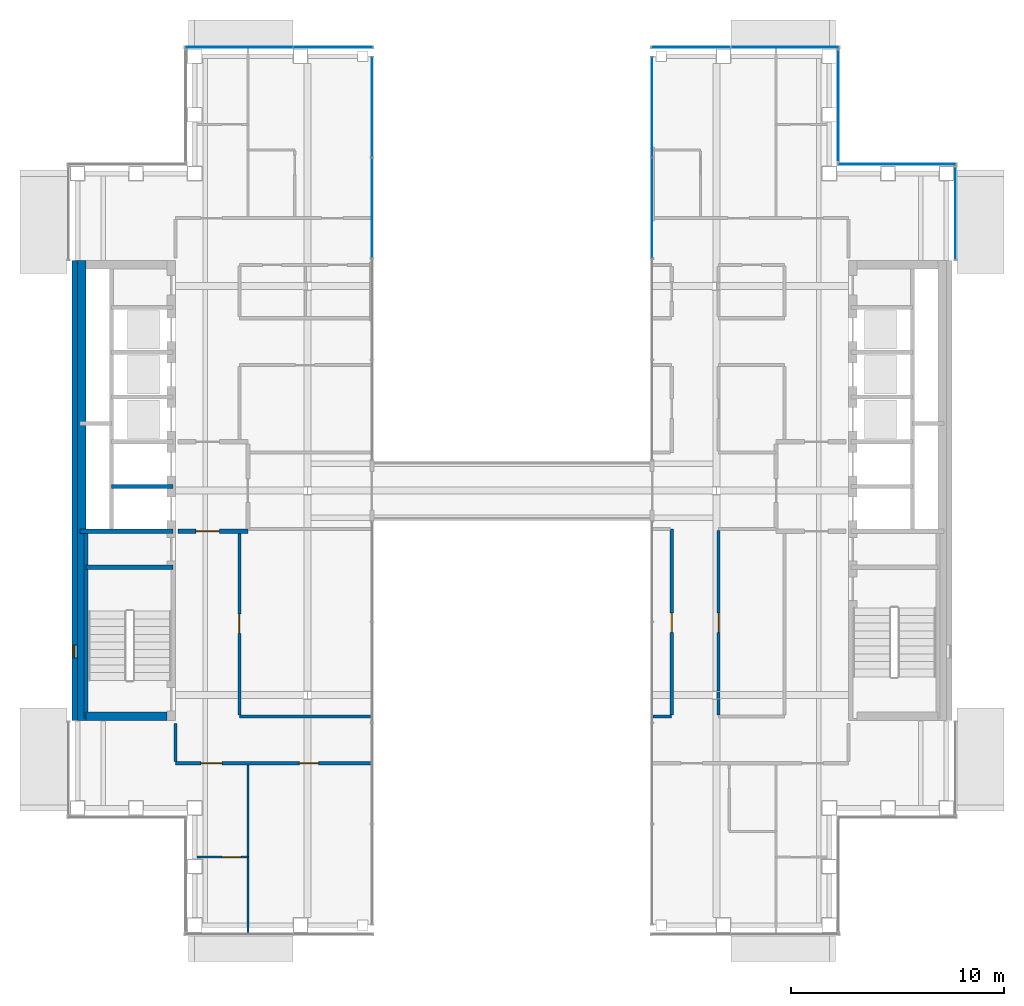
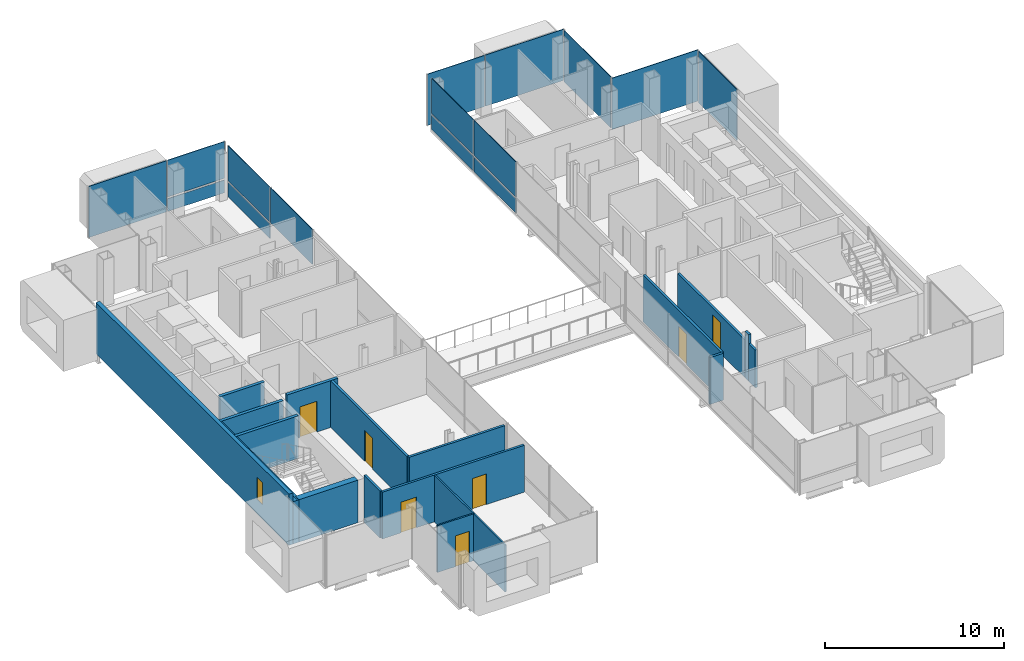
# One storey, part 10 of 17: 19 walls, 15 plates, 7 doors, 1 window, 8 openings, 7 elements without a shape of their own.
"""IFC4 building model written with IfcOpenShell, lengths in metres."""

from ifc_helpers import new_model, si_unit, direction, frame, frame_2d, origin, origin_2d, place, context, subcontext, project, spatial, rectangle, extrude, material, layer, layer_set, type_object, element, fill, aggregate, save


model = new_model("IFC4")

# Units and contexts
model_context = context("Model", 3, precision=1e-05, world=origin(), true_north=direction((0.0, 1.0)))
body_context = subcontext(model_context, "Body", "Model", "MODEL_VIEW")
ifc_project = project(units=[si_unit("LENGTHUNIT", "METRE"), si_unit("AREAUNIT", "SQUARE_METRE"), si_unit("VOLUMEUNIT", "CUBIC_METRE"), si_unit("PLANEANGLEUNIT", "RADIAN"), si_unit("MASSUNIT", "GRAM", prefix="KILO")], contexts=[model_context])

# Site, building, storey
site_placement = place(None, origin())
site = spatial("IfcSite", under=ifc_project, at=site_placement, CompositionType="ELEMENT")
building_placement = place(site_placement, origin())
building = spatial("IfcBuilding", under=site, at=building_placement, Name="Cobrizo Arcos Hotel Tower", CompositionType="ELEMENT")
storey_placement = place(building_placement, frame((0.0, 0.0, 233.0)))
storey = spatial("IfcBuildingStorey", under=building, at=storey_placement, Name="L61", CompositionType="ELEMENT", Elevation=233.0)

# Curtain wall, plate
ifc_material_1 = material(Name="Aluminium 6063-T6 anodised bronze", Category="aluminium")
curtain_wall_type_1 = type_object("IfcCurtainWallType", Name="CW-A guest facade", PredefinedType="NOTDEFINED", material=ifc_material_1)
curtain_wall_1_placement = place(storey_placement, origin())
curtain_wall_1 = element("IfcCurtainWall", 1, at=curtain_wall_1_placement, inside=storey, type_object=curtain_wall_type_1, Name="CW-A L61 E face", PredefinedType="NOTDEFINED")
ifc_material_2 = material(Name="Aluminium composite panel pale metal", Category="aluminium")
ifc_layer_1 = layer(ifc_material_2, 0.0400390625)
ifc_layer_set_1 = layer_set([ifc_layer_1], Name="CW-A spandrel panel")
plate_type_1 = type_object("IfcPlateType", Name="CW-A spandrel panel", PredefinedType="CURTAIN_PANEL", material=ifc_layer_set_1)
plate_1_placement = place(storey_placement, frame((20.824951171875, 13.02490234375, 0.0), z_axis=(0.0, 0.0, 1.0), x_axis=(0.0, 1.0, 0.0)))
plate_1 = element("IfcPlate", 2, at=plate_1_placement, type_object=plate_type_1, Name="CW-A spandrel panel 1975", PredefinedType="CURTAIN_PANEL", context=body_context, shape_type="SweptSolid", body=[
    extrude(rectangle(XDim=4.330078125, YDim=0.0400390625, at=origin_2d()), origin(), (0.0, 0.0, 1.0), 3.5),
])
aggregate(curtain_wall_1, [plate_1])

curtain_wall_2_placement = place(storey_placement, origin())
curtain_wall_2 = element("IfcCurtainWall", 3, at=curtain_wall_2_placement, inside=storey, type_object=curtain_wall_type_1, Name="CW-A L61 N face", PredefinedType="NOTDEFINED")
plate_2_placement = place(storey_placement, frame((18.074951171875, 15.324951171875, 0.0), z_axis=(0.0, 0.0, 1.0), x_axis=(-1.0, 0.0, 0.0)))
plate_2 = element("IfcPlate", 4, at=plate_2_placement, type_object=plate_type_1, Name="CW-A spandrel panel 1976", PredefinedType="CURTAIN_PANEL", context=body_context, shape_type="SweptSolid", body=[
    extrude(rectangle(XDim=5.530029296875, YDim=0.0400390625, at=origin_2d()), origin(), (0.0, 0.0, 1.0), 3.5),
])
aggregate(curtain_wall_2, [plate_2])

curtain_wall_3_placement = place(storey_placement, origin())
curtain_wall_3 = element("IfcCurtainWall", 5, at=curtain_wall_3_placement, inside=storey, type_object=curtain_wall_type_1, Name="CW-A L61 E face", PredefinedType="NOTDEFINED")
plate_3_placement = place(storey_placement, frame((15.324951171875, 18.074951171875, 0.0), z_axis=(0.0, 0.0, 1.0), x_axis=(0.0, 1.0, 0.0)))
plate_3 = element("IfcPlate", 6, at=plate_3_placement, type_object=plate_type_1, Name="CW-A spandrel panel 1977", PredefinedType="CURTAIN_PANEL", context=body_context, shape_type="SweptSolid", body=[
    extrude(rectangle(XDim=5.22998046875, YDim=0.0400390625, at=origin_2d()), origin(), (0.0, 0.0, 1.0), 3.5),
])
aggregate(curtain_wall_3, [plate_3])

# Curtain wall, plates
curtain_wall_4_placement = place(storey_placement, origin())
curtain_wall_4 = element("IfcCurtainWall", 7, at=curtain_wall_4_placement, inside=storey, type_object=curtain_wall_type_1, Name="CW-A L61 N face", PredefinedType="NOTDEFINED")
plate_4_placement = place(storey_placement, frame((12.818359375, 20.824951171875, 0.0), z_axis=(0.0, 0.0, 1.0), x_axis=(-1.0, 0.0, 0.0)))
plate_4 = element("IfcPlate", 8, at=plate_4_placement, type_object=plate_type_1, Name="CW-A spandrel panel 1978", PredefinedType="CURTAIN_PANEL", context=body_context, shape_type="SweptSolid", body=[
    extrude(rectangle(XDim=5.043212890625, YDim=0.0400390625, at=origin_2d()), origin(), (0.0, 0.0, 1.0), 3.5),
])
plate_5_placement = place(storey_placement, frame((8.3984375, 20.824951171875, 0.0), z_axis=(0.0, 0.0, 1.0), x_axis=(-1.0, 0.0, 0.0)))
plate_5 = element("IfcPlate", 9, at=plate_5_placement, type_object=plate_type_1, Name="CW-A spandrel panel 1979", PredefinedType="CURTAIN_PANEL", context=body_context, shape_type="SweptSolid", body=[
    extrude(rectangle(XDim=3.6767578125, YDim=0.0400390625, at=origin_2d()), origin(), (0.0, 0.0, 1.0), 3.5),
])
aggregate(curtain_wall_4, [plate_4, plate_5])

curtain_wall_5_placement = place(storey_placement, origin())
curtain_wall_5 = element("IfcCurtainWall", 10, at=curtain_wall_5_placement, inside=storey, type_object=curtain_wall_type_1, Name="CW-A L61 N face", PredefinedType="NOTDEFINED")
plate_6_placement = place(storey_placement, frame((-8.3984375, 20.824951171875, 0.0), z_axis=(0.0, 0.0, 1.0), x_axis=(-1.0, 0.0, 0.0)))
plate_6 = element("IfcPlate", 11, at=plate_6_placement, type_object=plate_type_1, Name="CW-A spandrel panel 1980", PredefinedType="CURTAIN_PANEL", context=body_context, shape_type="SweptSolid", body=[
    extrude(rectangle(XDim=3.6767578125, YDim=0.0400390625, at=origin_2d()), origin(), (0.0, 0.0, 1.0), 0.8701171875),
])
plate_7_placement = place(storey_placement, frame((-8.3984375, 20.824951171875, 0.990234375), z_axis=(0.0, 0.0, 1.0), x_axis=(-1.0, 0.0, 0.0)))
plate_7 = element("IfcPlate", 12, at=plate_7_placement, type_object=plate_type_1, Name="CW-A spandrel panel 1980", PredefinedType="CURTAIN_PANEL", context=body_context, shape_type="SweptSolid", body=[
    extrude(rectangle(XDim=3.6767578125, YDim=0.0400390625, at=origin_2d()), origin(), (0.0, 0.0, 1.0), 2.510009765625),
])
plate_8_placement = place(storey_placement, frame((-12.818359375, 20.824951171875, 0.0), z_axis=(0.0, 0.0, 1.0), x_axis=(-1.0, 0.0, 0.0)))
plate_8 = element("IfcPlate", 13, at=plate_8_placement, type_object=plate_type_1, Name="CW-A spandrel panel 1981", PredefinedType="CURTAIN_PANEL", context=body_context, shape_type="SweptSolid", body=[
    extrude(rectangle(XDim=5.043212890625, YDim=0.0400390625, at=origin_2d()), origin(), (0.0, 0.0, 1.0), 3.5),
])
aggregate(curtain_wall_5, [plate_6, plate_7, plate_8])

curtain_wall_type_2 = type_object("IfcCurtainWallType", Name="CW-F void screen", PredefinedType="NOTDEFINED", material=ifc_material_1)
curtain_wall_6_placement = place(storey_placement, origin())
curtain_wall_6 = element("IfcCurtainWall", 14, at=curtain_wall_6_placement, inside=storey, type_object=curtain_wall_type_2, Name="CW-F L61 void screen C", PredefinedType="NOTDEFINED")
ifc_material_3 = material(Name="Glass clear laminated low-e", Category="glass")
ifc_layer_2 = layer(ifc_material_3, 0.0400390625)
ifc_layer_set_2 = layer_set([ifc_layer_2], Name="CW-F glass panel")
plate_type_2 = type_object("IfcPlateType", Name="CW-F glass panel", PredefinedType="CURTAIN_PANEL", material=ifc_layer_set_2)
plate_9_placement = place(storey_placement, frame((6.574951171875, 13.27490234375, 0.0), z_axis=(0.0, 0.0, 1.0), x_axis=(0.0, 1.0, 0.0)))
plate_9 = element("IfcPlate", 15, at=plate_9_placement, type_object=plate_type_2, Name="CW-F glass panel 2754", PredefinedType="CURTAIN_PANEL", context=body_context, shape_type="SweptSolid", body=[
    extrude(rectangle(XDim=4.68994140625, YDim=0.0400390625, at=origin_2d()), origin(), (0.0, 0.0, 1.0), 0.989990234375),
])
plate_10_placement = place(storey_placement, frame((6.574951171875, 13.27490234375, 1.10986328125), z_axis=(0.0, 0.0, 1.0), x_axis=(0.0, 1.0, 0.0)))
plate_10 = element("IfcPlate", 16, at=plate_10_placement, type_object=plate_type_2, Name="CW-F glass panel 2754", PredefinedType="CURTAIN_PANEL", context=body_context, shape_type="SweptSolid", body=[
    extrude(rectangle(XDim=4.68994140625, YDim=0.0400390625, at=origin_2d()), origin(), (0.0, 0.0, 1.0), 2.389892578125),
])
plate_11_placement = place(storey_placement, frame((6.574951171875, 18.010009765625, 0.0), z_axis=(0.0, 0.0, 1.0), x_axis=(0.0, 1.0, 0.0)))
plate_11 = element("IfcPlate", 17, at=plate_11_placement, type_object=plate_type_2, Name="CW-F glass panel 2755", PredefinedType="CURTAIN_PANEL", context=body_context, shape_type="SweptSolid", body=[
    extrude(rectangle(XDim=4.659912109375, YDim=0.0400390625, at=origin_2d()), origin(), (0.0, 0.0, 1.0), 0.989990234375),
])
plate_12_placement = place(storey_placement, frame((6.574951171875, 18.010009765625, 1.10986328125), z_axis=(0.0, 0.0, 1.0), x_axis=(0.0, 1.0, 0.0)))
plate_12 = element("IfcPlate", 18, at=plate_12_placement, type_object=plate_type_2, Name="CW-F glass panel 2755", PredefinedType="CURTAIN_PANEL", context=body_context, shape_type="SweptSolid", body=[
    extrude(rectangle(XDim=4.659912109375, YDim=0.0400390625, at=origin_2d()), origin(), (0.0, 0.0, 1.0), 2.389892578125),
])
aggregate(curtain_wall_6, [plate_9, plate_10, plate_11, plate_12])

curtain_wall_7_placement = place(storey_placement, origin())
curtain_wall_7 = element("IfcCurtainWall", 19, at=curtain_wall_7_placement, inside=storey, type_object=curtain_wall_type_2, Name="CW-F L61 void screen C", PredefinedType="NOTDEFINED")
plate_13_placement = place(storey_placement, frame((-6.574951171875, 18.010009765625, 0.0), z_axis=(0.0, 0.0, 1.0), x_axis=(0.0, -1.0, 0.0)))
plate_13 = element("IfcPlate", 20, at=plate_13_placement, type_object=plate_type_2, Name="CW-F glass panel 2756", PredefinedType="CURTAIN_PANEL", context=body_context, shape_type="SweptSolid", body=[
    extrude(rectangle(XDim=4.659912109375, YDim=0.0400390625, at=origin_2d()), origin(), (0.0, 0.0, 1.0), 0.989990234375),
])
plate_14_placement = place(storey_placement, frame((-6.574951171875, 18.010009765625, 1.10986328125), z_axis=(0.0, 0.0, 1.0), x_axis=(0.0, -1.0, 0.0)))
plate_14 = element("IfcPlate", 21, at=plate_14_placement, type_object=plate_type_2, Name="CW-F glass panel 2756", PredefinedType="CURTAIN_PANEL", context=body_context, shape_type="SweptSolid", body=[
    extrude(rectangle(XDim=4.659912109375, YDim=0.0400390625, at=origin_2d()), origin(), (0.0, 0.0, 1.0), 2.389892578125),
])
plate_15_placement = place(storey_placement, frame((-6.574951171875, 13.27490234375, 1.10986328125), z_axis=(0.0, 0.0, 1.0), x_axis=(0.0, -1.0, 0.0)))
plate_15 = element("IfcPlate", 22, at=plate_15_placement, type_object=plate_type_2, Name="CW-F glass panel 2757", PredefinedType="CURTAIN_PANEL", context=body_context, shape_type="SweptSolid", body=[
    extrude(rectangle(XDim=4.68994140625, YDim=0.0400390625, at=origin_2d()), origin(), (0.0, 0.0, 1.0), 2.389892578125),
])
aggregate(curtain_wall_7, [plate_13, plate_14, plate_15])

# Wall, openings, doors
ifc_material_4 = material(Name="Gypsum board partition")
ifc_layer_3 = layer(ifc_material_4, 0.14990234375)
ifc_layer_set_3 = layer_set([ifc_layer_3], Name="Corridor wall EI 60 150")
wall_type_1 = type_object("IfcWallType", Name="Corridor wall EI 60 150", PredefinedType="PARTITIONING", material=ifc_layer_set_3)
wall_1_placement = place(storey_placement, frame((-15.800048828125, -12.800048828125, 0.0), z_axis=(0.0, 0.0, 1.0), x_axis=(1.0, 0.0, 0.0)))
wall_1 = element("IfcWall", 23, at=wall_1_placement, inside=storey, type_object=wall_type_1, Name="Partition 004", PredefinedType="PARTITIONING", context=body_context, shape_type="SweptSolid", body=[
    extrude(rectangle(XDim=9.179931640625, YDim=0.14990234375, at=frame_2d((4.58984375, 0.0))), origin(), (0.0, 0.0, 1.0), 3.199951171875),
])
opening_1_placement = place(wall_1_placement, frame((5.81689453125, 0.0, 0.0)))
opening_1 = element("IfcOpeningElement", 24, at=opening_1_placement, cuts=wall_1, Name="Opening RD-03", PredefinedType="OPENING", context=body_context, shape_type="SweptSolid", body=[
    extrude(rectangle(XDim=0.89990234375, YDim=2.10009765625, at=frame_2d((0.449951171875, 1.050048828125))), frame((0.0, 0.0869140625, 0.0), z_axis=(0.0, -1.0, 0.0), x_axis=(1.0, 0.0, 0.0)), (0.0, 0.0, 1.0), 0.173828125),
])
opening_2_placement = place(wall_1_placement, frame((1.19189453125, 0.0, 0.0)))
opening_2 = element("IfcOpeningElement", 25, at=opening_2_placement, cuts=wall_1, Name="Opening GD-04", PredefinedType="OPENING", context=body_context, shape_type="SweptSolid", body=[
    extrude(rectangle(XDim=1.0, YDim=2.10009765625, at=frame_2d((0.5, 1.050048828125))), frame((0.0, 0.0869140625, 0.0), z_axis=(0.0, -1.0, 0.0), x_axis=(1.0, 0.0, 0.0)), (0.0, 0.0, 1.0), 0.173828125),
])
ifc_material_5 = material(Name="Timber door leaf", Category="wood")
door_type_1 = type_object("IfcDoorType", Name="Guest room door FD30S 1000x2100", OperationType="SINGLE_SWING_LEFT", PredefinedType="DOOR", material=ifc_material_5)
door_1_placement = place(opening_2_placement, origin())
door_1 = element("IfcDoor", 26, at=door_1_placement, inside=storey, type_object=door_type_1, Name="Door GD-04", OperationType="SINGLE_SWING_LEFT", OverallHeight=2.10009765625, OverallWidth=1.0, PredefinedType="DOOR", context=body_context, shape_type="SweptSolid", body=[
    extrude(rectangle(XDim=1.0, YDim=2.10009765625, at=frame_2d((0.5, 1.050048828125))), frame((0.0, 0.02490234375, 0.0), z_axis=(0.0, -1.0, 0.0), x_axis=(1.0, 0.0, 0.0)), (0.0, 0.0, 1.0), 0.050048828125),
])
fill(opening_2, door_1)
door_type_2 = type_object("IfcDoorType", Name="Room door FD30 900x2100", OperationType="SINGLE_SWING_LEFT", PredefinedType="DOOR", material=ifc_material_5)
door_2_placement = place(opening_1_placement, origin())
door_2 = element("IfcDoor", 27, at=door_2_placement, inside=storey, type_object=door_type_2, Name="Door RD-03", OperationType="SINGLE_SWING_RIGHT", OverallHeight=2.10009765625, OverallWidth=0.89990234375, PredefinedType="DOOR", context=body_context, shape_type="SweptSolid", body=[
    extrude(rectangle(XDim=0.89990234375, YDim=2.10009765625, at=frame_2d((0.449951171875, 1.050048828125))), frame((0.0, 0.02490234375, 0.0), z_axis=(0.0, -1.0, 0.0), x_axis=(1.0, 0.0, 0.0)), (0.0, 0.0, 1.0), 0.050048828125),
])
fill(opening_1, door_2)

# Walls
wall_2_placement = place(storey_placement, frame((-12.800048828125, -10.60009765625, 0.0), z_axis=(0.0, 0.0, 1.0), x_axis=(1.0, 0.0, 0.0)))
element("IfcWall", 28, at=wall_2_placement, inside=storey, type_object=wall_type_1, Name="Partition 006", PredefinedType="PARTITIONING", context=body_context, shape_type="SweptSolid", body=[
    extrude(rectangle(XDim=6.179931640625, YDim=0.14990234375, at=frame_2d((3.08984375, 0.0))), origin(), (0.0, 0.0, 1.0), 3.199951171875),
])
wall_3_placement = place(storey_placement, frame((6.6201171875, -10.60009765625, 0.0), z_axis=(0.0, 0.0, 1.0), x_axis=(1.0, 0.0, 0.0)))
element("IfcWall", 29, at=wall_3_placement, inside=storey, type_object=wall_type_1, Name="Partition 007", PredefinedType="PARTITIONING", context=body_context, shape_type="SweptSolid", body=[
    extrude(rectangle(XDim=0.8798828125, YDim=0.14990234375, at=frame_2d((0.43994140625, 0.0))), origin(), (0.0, 0.0, 1.0), 3.199951171875),
])
wall_4_placement = place(storey_placement, frame((-15.800048828125, -12.72509765625, 0.0), z_axis=(0.0, 0.0, 1.0), x_axis=(0.0, 1.0, 0.0)))
element("IfcWall", 30, at=wall_4_placement, inside=storey, type_object=wall_type_1, Name="Partition 052", PredefinedType="PARTITIONING", context=body_context, shape_type="SweptSolid", body=[
    extrude(rectangle(XDim=1.80517578125, YDim=0.14990234375, at=frame_2d((0.902587890625, 0.0))), origin(), (0.0, 0.0, 1.0), 3.199951171875),
])

# Wall, opening, door
wall_5_placement = place(storey_placement, frame((-12.800048828125, -10.52490234375, 0.0), z_axis=(0.0, 0.0, 1.0), x_axis=(0.0, 1.0, 0.0)))
wall_5 = element("IfcWall", 31, at=wall_5_placement, inside=storey, type_object=wall_type_1, Name="Partition 054", PredefinedType="PARTITIONING", context=body_context, shape_type="SweptSolid", body=[
    extrude(rectangle(XDim=8.52490234375, YDim=0.14990234375, at=frame_2d((4.262451171875, 0.0))), origin(), (0.0, 0.0, 1.0), 3.199951171875),
])
opening_3_placement = place(wall_5_placement, frame((3.824951171875, 0.0, 0.0)))
opening_3 = element("IfcOpeningElement", 32, at=opening_3_placement, cuts=wall_5, Name="Opening RD-11", PredefinedType="OPENING", context=body_context, shape_type="SweptSolid", body=[
    extrude(rectangle(XDim=0.89990234375, YDim=2.10009765625, at=frame_2d((0.449951171875, 1.050048828125))), frame((0.0, 0.0869140625, 0.0), z_axis=(0.0, -1.0, 0.0), x_axis=(1.0, 0.0, 0.0)), (0.0, 0.0, 1.0), 0.173828125),
])
door_3_placement = place(opening_3_placement, origin())
door_3 = element("IfcDoor", 33, at=door_3_placement, inside=storey, type_object=door_type_2, Name="Door RD-11", OperationType="SINGLE_SWING_LEFT", OverallHeight=2.10009765625, OverallWidth=0.89990234375, PredefinedType="DOOR", context=body_context, shape_type="SweptSolid", body=[
    extrude(rectangle(XDim=0.89990234375, YDim=2.10009765625, at=frame_2d((0.449951171875, 1.050048828125))), frame((0.0, 0.02490234375, 0.0), z_axis=(0.0, -1.0, 0.0), x_axis=(1.0, 0.0, 0.0)), (0.0, 0.0, 1.0), 0.050048828125),
])
fill(opening_3, door_3)

wall_6_placement = place(storey_placement, frame((7.5, -10.52490234375, 0.0), z_axis=(0.0, 0.0, 1.0), x_axis=(0.0, 1.0, 0.0)))
wall_6 = element("IfcWall", 34, at=wall_6_placement, inside=storey, type_object=wall_type_1, Name="Partition 066", PredefinedType="PARTITIONING", context=body_context, shape_type="SweptSolid", body=[
    extrude(rectangle(XDim=8.724853515625, YDim=0.14990234375, at=frame_2d((4.3623046875, 0.0))), origin(), (0.0, 0.0, 1.0), 3.199951171875),
])
opening_4_placement = place(wall_6_placement, frame((3.875, 0.0, 0.0)))
opening_4 = element("IfcOpeningElement", 35, at=opening_4_placement, cuts=wall_6, Name="Opening RD-06", PredefinedType="OPENING", context=body_context, shape_type="SweptSolid", body=[
    extrude(rectangle(XDim=0.89990234375, YDim=2.10009765625, at=frame_2d((0.449951171875, 1.050048828125))), frame((0.0, 0.0869140625, 0.0), z_axis=(0.0, -1.0, 0.0), x_axis=(1.0, 0.0, 0.0)), (0.0, 0.0, 1.0), 0.173828125),
])
door_4_placement = place(opening_4_placement, origin())
door_4 = element("IfcDoor", 36, at=door_4_placement, inside=storey, type_object=door_type_2, Name="Door RD-06", OperationType="SINGLE_SWING_LEFT", OverallHeight=2.10009765625, OverallWidth=0.89990234375, PredefinedType="DOOR", context=body_context, shape_type="SweptSolid", body=[
    extrude(rectangle(XDim=0.89990234375, YDim=2.10009765625, at=frame_2d((0.449951171875, 1.050048828125))), frame((0.0, 0.02490234375, 0.0), z_axis=(0.0, -1.0, 0.0), x_axis=(1.0, 0.0, 0.0)), (0.0, 0.0, 1.0), 0.050048828125),
])
fill(opening_4, door_4)

# Walls
wall_7_placement = place(storey_placement, frame((9.699951171875, -10.52490234375, 0.0), z_axis=(0.0, 0.0, 1.0), x_axis=(0.0, 1.0, 0.0)))
element("IfcWall", 37, at=wall_7_placement, inside=storey, type_object=wall_type_1, Name="Partition 070", PredefinedType="PARTITIONING", context=body_context, shape_type="SweptSolid", body=[
    extrude(rectangle(XDim=0.724853515625, YDim=0.14990234375, at=frame_2d((0.3623046875, 0.0))), origin(), (0.0, 0.0, 1.0), 2.577880859375),
])
wall_8_placement = place(storey_placement, frame((9.699951171875, -9.800048828125, 0.0), z_axis=(0.0, 0.0, 1.0), x_axis=(0.0, 1.0, 0.0)))
element("IfcWall", 38, at=wall_8_placement, inside=storey, type_object=wall_type_1, Name="Partition 071", PredefinedType="PARTITIONING", context=body_context, shape_type="SweptSolid", body=[
    extrude(rectangle(XDim=0.401123046875, YDim=0.14990234375, at=frame_2d((0.20068359375, 0.0))), origin(), (0.0, 0.0, 1.0), 3.199951171875),
])

# Wall, opening, door
wall_9_placement = place(storey_placement, frame((9.699951171875, -9.39892578125, 0.0), z_axis=(0.0, 0.0, 1.0), x_axis=(0.0, 1.0, 0.0)))
wall_9 = element("IfcWall", 39, at=wall_9_placement, inside=storey, type_object=wall_type_1, Name="Partition 072", PredefinedType="PARTITIONING", context=body_context, shape_type="SweptSolid", body=[
    extrude(rectangle(XDim=7.52392578125, YDim=0.14990234375, at=frame_2d((3.761962890625, 0.0))), origin(), (0.0, 0.0, 1.0), 2.577880859375),
])
opening_5_placement = place(wall_9_placement, frame((2.7490234375, 0.0, 0.0)))
opening_5 = element("IfcOpeningElement", 40, at=opening_5_placement, cuts=wall_9, Name="Opening RD-10", PredefinedType="OPENING", context=body_context, shape_type="SweptSolid", body=[
    extrude(rectangle(XDim=0.89990234375, YDim=2.10009765625, at=frame_2d((0.449951171875, 1.050048828125))), frame((0.0, 0.0869140625, 0.0), z_axis=(0.0, -1.0, 0.0), x_axis=(1.0, 0.0, 0.0)), (0.0, 0.0, 1.0), 0.173828125),
])
door_5_placement = place(opening_5_placement, origin())
door_5 = element("IfcDoor", 41, at=door_5_placement, inside=storey, type_object=door_type_2, Name="Door RD-10", OperationType="SINGLE_SWING_RIGHT", OverallHeight=2.10009765625, OverallWidth=0.89990234375, PredefinedType="DOOR", context=body_context, shape_type="SweptSolid", body=[
    extrude(rectangle(XDim=0.89990234375, YDim=2.10009765625, at=frame_2d((0.449951171875, 1.050048828125))), frame((0.0, 0.02490234375, 0.0), z_axis=(0.0, -1.0, 0.0), x_axis=(1.0, 0.0, 0.0)), (0.0, 0.0, 1.0), 0.050048828125),
])
fill(opening_5, door_5)

# Wall, opening, window
ifc_layer_4 = layer(ifc_material_2, 0.25)
ifc_layer_set_4 = layer_set([ifc_layer_4], Name="EW-1 insulated panel wall 250")
wall_type_2 = type_object("IfcWallType", Name="EW-1 insulated panel wall 250", PredefinedType="SOLIDWALL", material=ifc_layer_set_4)
wall_10_placement = place(storey_placement, frame((-20.52490234375, 10.800048828125, 0.0), z_axis=(0.0, 0.0, 1.0), x_axis=(0.0, -1.0, 0.0)))
wall_10 = element("IfcWall", 42, at=wall_10_placement, inside=storey, type_object=wall_type_2, Name="Core face wall L61 W", PredefinedType="SOLIDWALL", context=body_context, shape_type="SweptSolid", body=[
    extrude(rectangle(XDim=21.60009765625, YDim=0.25, at=frame_2d((10.800048828125, 0.0))), origin(), (0.0, 0.0, 1.0), 3.5),
])
opening_6_placement = place(wall_10_placement, frame((18.050048828125, 0.0, 1.0)))
opening_6 = element("IfcOpeningElement", 43, at=opening_6_placement, cuts=wall_10, Name="Opening W-136", PredefinedType="OPENING", context=body_context, shape_type="SweptSolid", body=[
    extrude(rectangle(XDim=0.60009765625, YDim=1.5, at=frame_2d((0.300048828125, 0.75))), frame((0.0, 0.136962890625, 0.0), z_axis=(0.0, -1.0, 0.0), x_axis=(1.0, 0.0, 0.0)), (0.0, 0.0, 1.0), 0.27392578125),
])
ifc_material_6 = material(Name="Aluminium 6063-T6 and clear laminated glass", Category="aluminium")
window_type = type_object("IfcWindowType", Name="W-C1 core stair slot window 600x1500", PartitioningType="SINGLE_PANEL", PredefinedType="WINDOW", material=ifc_material_6)
window_placement = place(opening_6_placement, origin())
window = element("IfcWindow", 44, at=window_placement, inside=storey, type_object=window_type, Name="Core face wall L61 W window W-136", OverallHeight=1.5, OverallWidth=0.60009765625, PartitioningType="SINGLE_PANEL", PredefinedType="WINDOW", context=body_context, shape_type="SweptSolid", body=[
    extrude(rectangle(XDim=0.60009765625, YDim=1.5, at=frame_2d((0.300048828125, 0.75))), frame((0.0, -0.034912109375, 0.0), z_axis=(0.0, -1.0, 0.0), x_axis=(1.0, 0.0, 0.0)), (0.0, 0.0, 1.0), 0.06005859375),
])
fill(opening_6, window)

# Wall, opening, door
ifc_layer_5 = layer(ifc_material_4, 0.10009765625)
ifc_layer_set_5 = layer_set([ifc_layer_5], Name="Partition EI 30 100")
wall_type_3 = type_object("IfcWallType", Name="Partition EI 30 100", PredefinedType="PARTITIONING", material=ifc_layer_set_5)
wall_11_placement = place(storey_placement, frame((-14.780029296875, -17.199951171875, 0.0), z_axis=(0.0, 0.0, 1.0), x_axis=(1.0, 0.0, 0.0)))
wall_11 = element("IfcWall", 45, at=wall_11_placement, inside=storey, type_object=wall_type_3, Name="Partition 001", PredefinedType="PARTITIONING", context=body_context, shape_type="SweptSolid", body=[
    extrude(rectangle(XDim=2.380126953125, YDim=0.10009765625, at=frame_2d((1.18994140625, 0.0))), origin(), (0.0, 0.0, 1.0), 3.199951171875),
])
opening_7_placement = place(wall_11_placement, frame((1.16796875, 0.0, 0.0)))
opening_7 = element("IfcOpeningElement", 46, at=opening_7_placement, cuts=wall_11, Name="Opening ED-04", PredefinedType="OPENING", context=body_context, shape_type="SweptSolid", body=[
    extrude(rectangle(XDim=0.89990234375, YDim=2.10009765625, at=frame_2d((0.449951171875, 1.050048828125))), frame((0.0, 0.06201171875, 0.0), z_axis=(0.0, -1.0, 0.0), x_axis=(1.0, 0.0, 0.0)), (0.0, 0.0, 1.0), 0.1240234375),
])
door_type_3 = type_object("IfcDoorType", Name="En-suite door 900x2100", OperationType="SINGLE_SWING_LEFT", PredefinedType="DOOR", material=ifc_material_5)
door_6_placement = place(opening_7_placement, origin())
door_6 = element("IfcDoor", 47, at=door_6_placement, inside=storey, type_object=door_type_3, Name="Door ED-04", OperationType="SINGLE_SWING_LEFT", OverallHeight=2.10009765625, OverallWidth=0.89990234375, PredefinedType="DOOR", context=body_context, shape_type="SweptSolid", body=[
    extrude(rectangle(XDim=0.89990234375, YDim=2.10009765625, at=frame_2d((0.449951171875, 1.050048828125))), frame((0.0, 0.02490234375, 0.0), z_axis=(0.0, -1.0, 0.0), x_axis=(1.0, 0.0, 0.0)), (0.0, 0.0, 1.0), 0.050048828125),
])
fill(opening_7, door_6)

# Walls
wall_12_placement = place(storey_placement, frame((-12.39990234375, -20.780029296875, 0.0), z_axis=(0.0, 0.0, 1.0), x_axis=(0.0, 1.0, 0.0)))
element("IfcWall", 48, at=wall_12_placement, inside=storey, type_object=wall_type_3, Name="Partition 057", PredefinedType="PARTITIONING", context=body_context, shape_type="SweptSolid", body=[
    extrude(rectangle(XDim=7.905029296875, YDim=0.10009765625, at=frame_2d((3.95263671875, 0.0))), origin(), (0.0, 0.0, 1.0), 3.199951171875),
])
ifc_material_7 = material(Name="Concrete f'c 40 MPa", Category="concrete")
ifc_layer_6 = layer(ifc_material_7, 0.39990234375)
ifc_layer_set_6 = layer_set([ifc_layer_6], Name="RC core wall 400 f'c 40")
wall_type_4 = type_object("IfcWallType", Name="RC core wall 400 f'c 40", PredefinedType="SHEAR", material=ifc_layer_set_6)
wall_13_placement = place(storey_placement, frame((-20.199951171875, -10.800048828125, 0.0), z_axis=(0.0, 0.0, 1.0), x_axis=(0.0, 1.0, 0.0)))
element("IfcWall", 49, at=wall_13_placement, inside=storey, type_object=wall_type_4, Name="Core wall CW4, west core, outer face, L61", PredefinedType="SHEAR", context=body_context, shape_type="SweptSolid", body=[
    extrude(rectangle(XDim=21.60009765625, YDim=0.39990234375, at=frame_2d((10.800048828125, 0.0))), origin(), (0.0, 0.0, 1.0), 2.89990234375),
])
wall_14_placement = place(storey_placement, frame((-20.0, -10.60009765625, 0.0), z_axis=(0.0, 0.0, 1.0), x_axis=(1.0, 0.0, 0.0)))
element("IfcWall", 50, at=wall_14_placement, inside=storey, type_object=wall_type_4, Name="Core wall CW4, west core, south end, L61", PredefinedType="SHEAR", context=body_context, shape_type="SweptSolid", body=[
    extrude(rectangle(XDim=3.800048828125, YDim=0.39990234375, at=frame_2d((1.89990234375, 0.0))), origin(), (0.0, 0.0, 1.0), 2.89990234375),
])
ifc_layer_7 = layer(ifc_material_4, 0.199951171875)
ifc_layer_set_7 = layer_set([ifc_layer_7], Name="Shaft wall EI 120 200")
wall_type_5 = type_object("IfcWallType", Name="Shaft wall EI 120 200", PredefinedType="PARTITIONING", material=ifc_layer_set_7)
wall_15_placement = place(storey_placement, frame((-20.280029296875, -1.89990234375, 0.0), z_axis=(0.0, 0.0, 1.0), x_axis=(1.0, 0.0, 0.0)))
element("IfcWall", 51, at=wall_15_placement, inside=storey, type_object=wall_type_5, Name="Partition 011", PredefinedType="PARTITIONING", context=body_context, shape_type="SweptSolid", body=[
    extrude(rectangle(XDim=4.360107421875, YDim=0.199951171875, at=frame_2d((2.18017578125, 0.0))), origin(), (0.0, 0.0, 1.0), 2.89990234375),
])

# Wall, opening, door
wall_16_placement = place(storey_placement, frame((-15.679931640625, -1.89990234375, 0.0), z_axis=(0.0, 0.0, 1.0), x_axis=(1.0, 0.0, 0.0)))
wall_16 = element("IfcWall", 52, at=wall_16_placement, inside=storey, type_object=wall_type_5, Name="Partition 012", PredefinedType="PARTITIONING", context=body_context, shape_type="SweptSolid", body=[
    extrude(rectangle(XDim=3.280029296875, YDim=0.199951171875, at=frame_2d((1.64013671875, 0.0))), origin(), (0.0, 0.0, 1.0), 3.199951171875),
])
opening_8_placement = place(wall_16_placement, frame((0.840087890625, 0.0, 0.0)))
opening_8 = element("IfcOpeningElement", 53, at=opening_8_placement, cuts=wall_16, Name="Opening FD-03", PredefinedType="OPENING", context=body_context, shape_type="SweptSolid", body=[
    extrude(rectangle(XDim=1.10009765625, YDim=2.10009765625, at=frame_2d((0.550048828125, 1.050048828125))), frame((0.0, 0.112060546875, 0.0), z_axis=(0.0, -1.0, 0.0), x_axis=(1.0, 0.0, 0.0)), (0.0, 0.0, 1.0), 0.223876953125),
])
ifc_material_8 = material(Name="Steel door leaf", Category="steel")
door_type_4 = type_object("IfcDoorType", Name="Fire door FD60 1100x2100", OperationType="SINGLE_SWING_LEFT", PredefinedType="DOOR", material=ifc_material_8)
door_7_placement = place(opening_8_placement, origin())
door_7 = element("IfcDoor", 54, at=door_7_placement, inside=storey, type_object=door_type_4, Name="Door FD-03", OperationType="SINGLE_SWING_LEFT", OverallHeight=2.10009765625, OverallWidth=1.10009765625, PredefinedType="DOOR", context=body_context, shape_type="SweptSolid", body=[
    extrude(rectangle(XDim=1.10009765625, YDim=2.10009765625, at=frame_2d((0.550048828125, 1.050048828125))), frame((0.0, 0.02490234375, 0.0), z_axis=(0.0, -1.0, 0.0), x_axis=(1.0, 0.0, 0.0)), (0.0, 0.0, 1.0), 0.050048828125),
])
fill(opening_8, door_7)

# Walls
wall_17_placement = place(storey_placement, frame((-18.800048828125, 0.199951171875, 0.0), z_axis=(0.0, 0.0, 1.0), x_axis=(1.0, 0.0, 0.0)))
element("IfcWall", 55, at=wall_17_placement, inside=storey, type_object=wall_type_5, Name="Partition 018", PredefinedType="PARTITIONING", context=body_context, shape_type="SweptSolid", body=[
    extrude(rectangle(XDim=2.880126953125, YDim=0.199951171875, at=frame_2d((1.43994140625, 0.0))), origin(), (0.0, 0.0, 1.0), 2.89990234375),
])
ifc_layer_8 = layer(ifc_material_7, 0.199951171875)
ifc_layer_set_8 = layer_set([ifc_layer_8], Name="Stair shaft wall 200")
wall_type_6 = type_object("IfcWallType", Name="Stair shaft wall 200", PredefinedType="SHEAR", material=ifc_layer_set_8)
wall_18_placement = place(storey_placement, frame((-20.0, -3.60009765625, 0.0), z_axis=(0.0, 0.0, 1.0), x_axis=(1.0, 0.0, 0.0)))
element("IfcWall", 56, at=wall_18_placement, inside=storey, type_object=wall_type_6, Name="Stair shaft wall W", PredefinedType="SHEAR", context=body_context, shape_type="SweptSolid", body=[
    extrude(rectangle(XDim=4.080078125, YDim=0.199951171875, at=frame_2d((2.0400390625, 0.0))), origin(), (0.0, 0.0, 1.0), 2.89990234375),
])
wall_19_placement = place(storey_placement, frame((-20.0, -10.679931640625, 0.0), z_axis=(0.0, 0.0, 1.0), x_axis=(0.0, 1.0, 0.0)))
element("IfcWall", 57, at=wall_19_placement, inside=storey, type_object=wall_type_6, Name="Stair shaft wall W", PredefinedType="SHEAR", context=body_context, shape_type="SweptSolid", body=[
    extrude(rectangle(XDim=8.679931640625, YDim=0.199951171875, at=frame_2d((4.33984375, 0.0))), origin(), (0.0, 0.0, 1.0), 2.89990234375),
])

save(model, "model.ifc")
